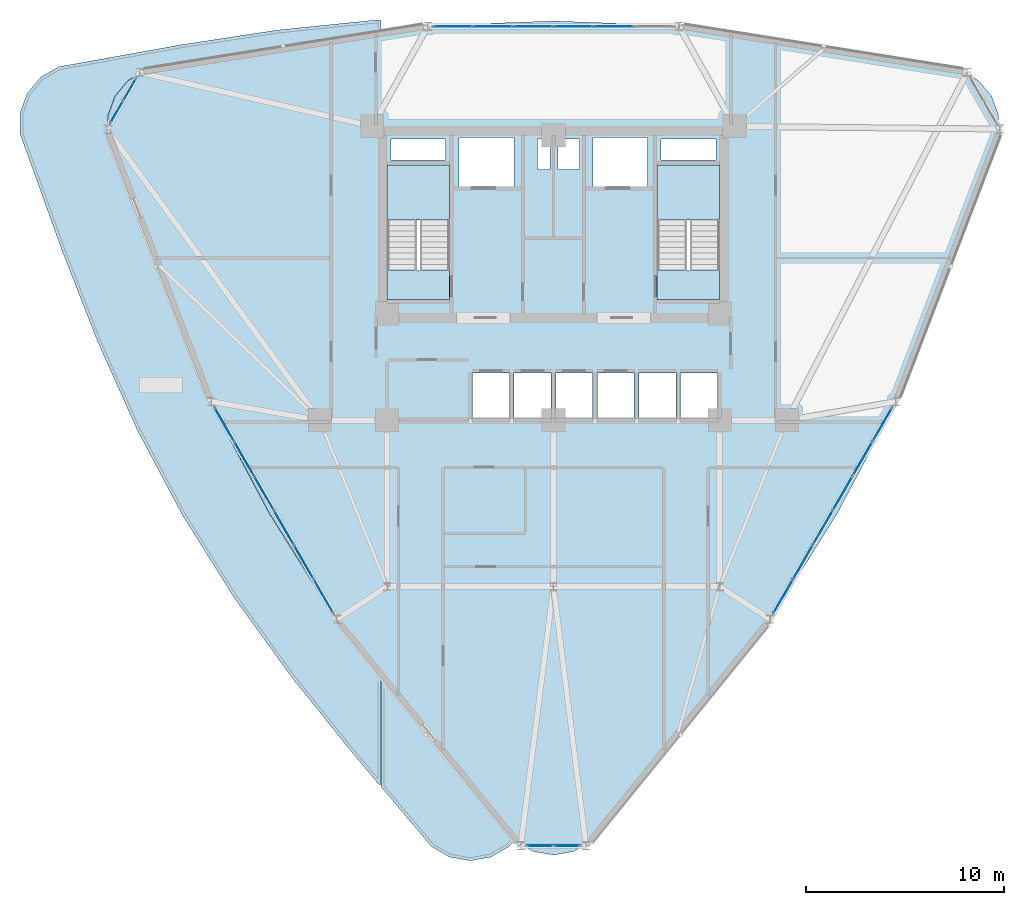
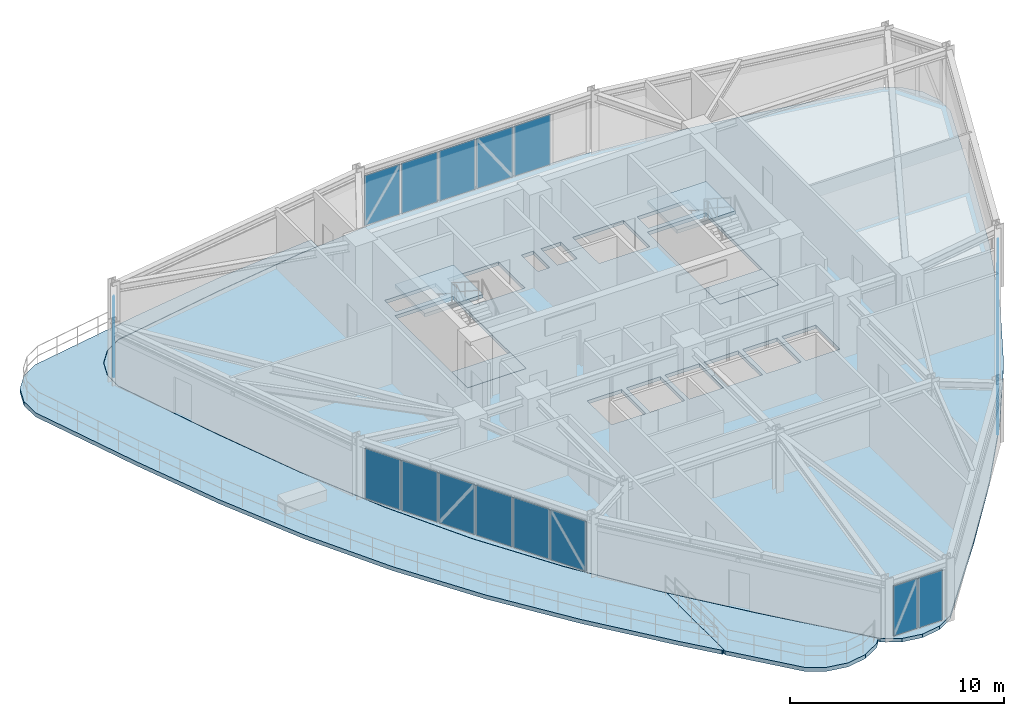
# One storey, part 12 of 18: 21 plates, 7 slabs, 7 elements without a shape of their own.
"""IFC4 building model written with IfcOpenShell, lengths in metres."""

from ifc_helpers import new_model, si_unit, derived_unit, direction, frame, origin, origin_2d, place, context, subcontext, project, spatial, polyline, rectangle, outline, extrude, source, transform, mapped, material, layer, layer_set, type_object, element, aggregate, save


model = new_model("IFC4")

# Units and contexts
model_context = context("Model", 3, precision=1e-05, world=origin(), true_north=direction((0.0, 1.0)))
body_context = subcontext(model_context, "Body", "Model", "MODEL_VIEW")
ifc_project = project(units=[si_unit("LENGTHUNIT", "METRE"), si_unit("AREAUNIT", "SQUARE_METRE"), si_unit("VOLUMEUNIT", "CUBIC_METRE"), si_unit("PLANEANGLEUNIT", "RADIAN"), si_unit("MASSUNIT", "GRAM", prefix="KILO"), derived_unit("THERMALTRANSMITTANCEUNIT", [(si_unit("POWERUNIT", "WATT"), 1), (si_unit("LENGTHUNIT", "METRE"), -2), (si_unit("THERMODYNAMICTEMPERATUREUNIT", "KELVIN"), -1)])], contexts=[model_context])

# Site, building, storey
site_placement = place(None, origin())
site = spatial("IfcSite", under=ifc_project, at=site_placement, CompositionType="ELEMENT")
building_placement = place(site_placement, origin())
building = spatial("IfcBuilding", under=site, at=building_placement, Name="Korsvarv Bourse and Concert Hall", CompositionType="ELEMENT")
storey_placement = place(building_placement, frame((0.0, 0.0, 168.60009765625)))
storey = spatial("IfcBuildingStorey", under=building, at=storey_placement, Name="L43", CompositionType="ELEMENT", Elevation=168.60009765625)

# Slabs
ifc_material_1 = material(Name="Precast concrete C45/55", Category="concrete")
ifc_layer_1 = layer(ifc_material_1, 0.199951171875)
ifc_layer_set_1 = layer_set([ifc_layer_1], Name="Precast concrete C45/55")
slab_type_1 = type_object("IfcSlabType", Name="SLB-FLND-T", PredefinedType="LANDING", material=ifc_layer_set_1)
slab_1_placement = place(storey_placement, frame((0.0, 0.0, -0.2001953125)))
element("IfcSlab", 1, at=slab_1_placement, inside=storey, type_object=slab_type_1, Name="L43 Stair ST-T1 Floor Landing Slab", PredefinedType="LANDING", context=body_context, shape_type="SweptSolid", body=[
    extrude(outline(polyline([(30.760009765625, 38.5), (30.760009765625, 40.0), (27.60009765625, 40.0), (27.60009765625, 38.5), (30.760009765625, 38.5)])), origin(), (0.0, 0.0, 1.0), 0.2001953125),
])
slab_2_placement = place(storey_placement, frame((0.0, 0.0, -0.2001953125)))
element("IfcSlab", 2, at=slab_2_placement, inside=storey, type_object=slab_type_1, Name="L43 Stair ST-T2 Floor Landing Slab", PredefinedType="LANDING", context=body_context, shape_type="SweptSolid", body=[
    extrude(outline(polyline([(44.39990234375, 38.5), (44.39990234375, 40.0), (41.239990234375, 40.0), (41.239990234375, 38.5), (44.39990234375, 38.5)])), origin(), (0.0, 0.0, 1.0), 0.2001953125),
])
ifc_material_2 = material(Name="Concrete C45/55", Category="concrete")
ifc_layer_2 = layer(ifc_material_2, 0.22998046875)
ifc_layer_set_2 = layer_set([ifc_layer_2], Name="Concrete C45/55")
slab_type_2 = type_object("IfcSlabType", Name="SLB-SKY", PredefinedType="FLOOR", material=ifc_layer_set_2)
slab_3_placement = place(storey_placement, frame((0.0, 0.0, -0.22998046875)))
element("IfcSlab", 3, at=slab_3_placement, inside=storey, type_object=slab_type_2, Name="L43 Crescent Sky Garden Terrace 1", PredefinedType="FLOOR", context=body_context, shape_type="SweptSolid", body=[
    extrude(outline(polyline([(13.505859375, 46.783447265625), (13.506103515625, 46.782958984375), (13.91015625, 45.6728515625), (13.91015625, 45.672607421875), (13.9111328125, 45.669921875), (13.9111328125, 45.669921875), (15.59130859375, 41.00341796875), (15.591552734375, 41.003173828125), (15.591796875, 41.002685546875), (17.379638671875, 36.423828125), (17.3798828125, 36.423583984375), (17.380126953125, 36.422607421875), (19.373779296875, 31.98291015625), (19.3740234375, 31.982177734375), (19.37451171875, 31.9814453125), (21.640625, 27.710693359375), (21.64111328125, 27.709716796875), (21.6416015625, 27.708984375), (24.20703125, 23.611083984375), (24.20751953125, 23.6103515625), (24.2080078125, 23.609619140625), (27.05615234375, 19.663330078125), (27.056396484375, 19.662841796875), (27.056884765625, 19.662109375), (27.286865234375, 19.375), (27.290283203125, 19.370361328125), (27.293212890625, 19.365234375), (27.295654296875, 19.360107421875), (27.297607421875, 19.3544921875), (27.298828125, 19.34912109375), (27.2998046875, 19.34326171875), (27.300048828125, 19.33740234375), (27.300048828125, 14.043212890625), (27.2998046875, 14.037353515625), (27.298828125, 14.031494140625), (27.29736328125, 14.02587890625), (27.29541015625, 14.020263671875), (27.29296875, 14.014892578125), (27.2900390625, 14.010009765625), (27.28662109375, 14.00537109375), (27.28271484375, 14.0009765625), (27.2783203125, 13.9970703125), (27.273681640625, 13.993408203125), (27.2685546875, 13.990478515625), (27.263427734375, 13.98779296875), (27.2578125, 13.98583984375), (27.252197265625, 13.984375), (27.246337890625, 13.9833984375), (27.240478515625, 13.983154296875), (27.234619140625, 13.9833984375), (27.22900390625, 13.984130859375), (27.22314453125, 13.985595703125), (27.2177734375, 13.987548828125), (27.21240234375, 13.989990234375), (27.207275390625, 13.992919921875), (27.20263671875, 13.996337890625), (27.1982421875, 14.0), (27.194091796875, 14.00439453125), (25.826171875, 15.622314453125), (25.8251953125, 15.623291015625), (22.726806640625, 19.491943359375), (22.72509765625, 19.494384765625), (19.85302734375, 23.4716796875), (19.850830078125, 23.47509765625), (17.264404296875, 27.60546875), (17.262451171875, 27.609130859375), (14.978515625, 31.914306640625), (14.976806640625, 31.917724609375), (12.96826171875, 36.393798828125), (12.967041015625, 36.396484375), (11.166015625, 41.013916015625), (11.165283203125, 41.015380859375), (9.472900390625, 45.721923828125), (9.47265625, 45.722412109375), (9.4716796875, 45.72509765625), (9.471435546875, 45.7255859375), (9.059814453125, 46.85693359375), (9.05810546875, 46.86181640625), (9.056884765625, 46.866943359375), (9.056396484375, 46.8720703125), (9.05615234375, 46.87744140625), (9.05615234375, 47.915771484375), (9.056396484375, 47.9208984375), (9.056884765625, 47.926025390625), (9.05810546875, 47.93115234375), (9.059814453125, 47.936279296875), (9.414794921875, 48.912109375), (9.4169921875, 48.916748046875), (9.419189453125, 48.92138671875), (9.422119140625, 48.92578125), (9.42529296875, 48.929931640625), (10.0927734375, 49.7255859375), (10.09619140625, 49.7294921875), (10.10009765625, 49.73291015625), (10.104248046875, 49.736083984375), (10.10888671875, 49.739013671875), (11.0078125, 50.258056640625), (11.0126953125, 50.260498046875), (11.017333984375, 50.262451171875), (11.0224609375, 50.26416015625), (11.027587890625, 50.26513671875), (12.21337890625, 50.474365234375), (12.216796875, 50.474853515625), (17.13916015625, 51.362548828125), (17.140869140625, 51.36279296875), (22.0400390625, 52.111572265625), (22.043212890625, 52.112060546875), (26.923583984375, 52.6103515625), (26.927490234375, 52.610595703125), (27.23779296875, 52.621826171875), (27.243896484375, 52.62158203125), (27.25, 52.62109375), (27.255615234375, 52.61962890625), (27.261474609375, 52.617919921875), (27.26708984375, 52.615478515625), (27.272216796875, 52.612548828125), (27.277099609375, 52.60888671875), (27.28173828125, 52.60498046875), (27.285888671875, 52.6005859375), (27.289306640625, 52.595703125), (27.29248046875, 52.5908203125), (27.295166015625, 52.585205078125), (27.29736328125, 52.57958984375), (27.298828125, 52.57373046875), (27.2998046875, 52.56787109375), (27.300048828125, 52.561767578125), (27.300048828125, 52.067626953125), (27.2998046875, 52.061767578125), (27.298828125, 52.055908203125), (27.29736328125, 52.05029296875), (27.29541015625, 52.044677734375), (27.29296875, 52.039306640625), (27.289794921875, 52.0341796875), (27.286376953125, 52.029541015625), (27.282470703125, 52.025146484375), (27.2783203125, 52.021240234375), (27.2734375, 52.017822265625), (27.268310546875, 52.0146484375), (27.26318359375, 52.01220703125), (27.257568359375, 52.01025390625), (27.251953125, 52.0087890625), (27.24609375, 52.0078125), (26.323974609375, 51.913818359375), (26.323486328125, 51.913818359375), (26.322509765625, 51.913818359375), (21.463134765625, 51.172607421875), (21.462890625, 51.172607421875), (21.46240234375, 51.172607421875), (16.581298828125, 50.294677734375), (16.5810546875, 50.29443359375), (16.578125, 50.2939453125), (16.578125, 50.2939453125), (15.414794921875, 50.0888671875), (15.4140625, 50.0888671875), (15.412841796875, 50.08837890625), (15.412109375, 50.088134765625), (15.410888671875, 50.08740234375), (15.41015625, 50.087158203125), (14.522216796875, 49.574462890625), (14.521484375, 49.57421875), (14.5205078125, 49.573486328125), (14.519775390625, 49.57275390625), (14.518798828125, 49.57177734375), (14.518310546875, 49.5712890625), (13.859130859375, 48.785888671875), (13.85888671875, 48.785400390625), (13.858154296875, 48.7841796875), (13.857666015625, 48.783447265625), (13.85693359375, 48.7822265625), (13.856689453125, 48.781494140625), (13.506103515625, 47.81787109375), (13.505859375, 47.8173828125), (13.505615234375, 47.81591796875), (13.50537109375, 47.815185546875), (13.505126953125, 47.813720703125), (13.505126953125, 47.813232421875), (13.505126953125, 46.78759765625), (13.505126953125, 46.787109375), (13.50537109375, 46.78564453125), (13.505615234375, 46.784912109375), (13.505859375, 46.783447265625)])), origin(), (0.0, 0.0, 1.0), 0.22998046875),
])
slab_4_placement = place(storey_placement, frame((0.0, 0.0, -0.22998046875)))
element("IfcSlab", 4, at=slab_4_placement, inside=storey, type_object=slab_type_2, Name="L43 Crescent Sky Garden Terrace 2", PredefinedType="FLOOR", context=body_context, shape_type="SweptSolid", body=[
    extrude(outline(polyline([(32.852783203125, 10.345458984375), (32.847900390625, 10.343017578125), (32.84326171875, 10.341064453125), (32.838134765625, 10.33935546875), (32.8330078125, 10.33837890625), (31.810302734375, 10.157958984375), (31.80517578125, 10.1572265625), (31.800048828125, 10.156982421875), (31.794921875, 10.1572265625), (31.78955078125, 10.157958984375), (30.766845703125, 10.33837890625), (30.76171875, 10.33935546875), (30.7568359375, 10.341064453125), (30.751953125, 10.343017578125), (30.747314453125, 10.345458984375), (29.84814453125, 10.864501953125), (29.84375, 10.8671875), (29.839599609375, 10.87060546875), (29.835693359375, 10.8740234375), (29.832275390625, 10.8779296875), (29.058349609375, 11.800048828125), (29.057861328125, 11.80078125), (29.056396484375, 11.802490234375), (29.055419921875, 11.803466796875), (27.314208984375, 13.862548828125), (27.310546875, 13.8671875), (27.307373046875, 13.872314453125), (27.3046875, 13.877685546875), (27.302734375, 13.883544921875), (27.30126953125, 13.889404296875), (27.30029296875, 13.895263671875), (27.300048828125, 13.9013671875), (27.300048828125, 19.1875), (27.30029296875, 19.193359375), (27.30126953125, 19.19921875), (27.302490234375, 19.205078125), (27.3046875, 19.210693359375), (27.30712890625, 19.216064453125), (27.310302734375, 19.220947265625), (27.313720703125, 19.225830078125), (27.317626953125, 19.22998046875), (27.322021484375, 19.234130859375), (27.326904296875, 19.237548828125), (27.33203125, 19.240478515625), (27.33740234375, 19.2431640625), (27.343017578125, 19.2451171875), (27.3486328125, 19.24658203125), (27.3544921875, 19.247314453125), (27.360595703125, 19.24755859375), (27.366455078125, 19.247314453125), (27.372314453125, 19.246337890625), (27.3779296875, 19.244873046875), (27.383544921875, 19.24267578125), (27.388916015625, 19.240234375), (27.393798828125, 19.237060546875), (27.398681640625, 19.2333984375), (27.40283203125, 19.2294921875), (27.40673828125, 19.22509765625), (30.12841796875, 15.824462890625), (30.128662109375, 15.82421875), (30.12890625, 15.823974609375), (33.330078125, 12.03564453125), (33.330078125, 12.035400390625), (33.33203125, 12.033203125), (33.33203125, 12.033203125), (34.002197265625, 11.234375), (34.005859375, 11.2294921875), (34.0087890625, 11.224609375), (34.011474609375, 11.218994140625), (34.013671875, 11.21337890625), (34.01513671875, 11.207763671875), (34.015869140625, 11.201904296875), (34.01611328125, 11.19580078125), (34.015869140625, 11.189697265625), (34.01513671875, 11.183837890625), (34.013671875, 11.177978515625), (34.011474609375, 11.172607421875), (34.0087890625, 11.1669921875), (34.005859375, 11.162109375), (34.002197265625, 11.1572265625), (33.767822265625, 10.8779296875), (33.764404296875, 10.8740234375), (33.760498046875, 10.87060546875), (33.75634765625, 10.8671875), (33.751708984375, 10.864501953125), (32.852783203125, 10.345458984375)])), origin(), (0.0, 0.0, 1.0), 0.22998046875),
])

# Stair, slab
stair_type = type_object("IfcStairType", Name="STR-TYPE-04", PredefinedType="HALF_TURN_STAIR", material=ifc_material_1)
stair_1_placement = place(storey_placement, origin())
stair_1 = element("IfcStair", 5, at=stair_1_placement, inside=storey, type_object=stair_type, Name="L43 Tower West Exit Stair ST-T1", PredefinedType="HALF_TURN_STAIR")
ifc_layer_3 = layer(ifc_material_1, 0.199951171875)
ifc_layer_set_3 = layer_set([ifc_layer_3], Name="Precast concrete C45/55")
slab_type_3 = type_object("IfcSlabType", Name="SLB-ST-LND", PredefinedType="LANDING", material=ifc_layer_set_3)
slab_5_placement = place(storey_placement, frame((0.0, 0.0, 1.599853515625)))
slab_5 = element("IfcSlab", 6, at=slab_5_placement, type_object=slab_type_3, Name="ST-T1 landing 1", PredefinedType="LANDING", context=body_context, shape_type="SweptSolid", body=[
    extrude(outline(polyline([(30.760009765625, 42.52001953125), (30.760009765625, 45.300048828125), (27.60009765625, 45.300048828125), (27.60009765625, 42.52001953125), (30.760009765625, 42.52001953125)])), origin(), (0.0, 0.0, 1.0), 0.199951171875),
])
aggregate(stair_1, [slab_5])

stair_2_placement = place(storey_placement, origin())
stair_2 = element("IfcStair", 7, at=stair_2_placement, inside=storey, type_object=stair_type, Name="L43 Tower East Exit Stair ST-T2", PredefinedType="HALF_TURN_STAIR")
slab_6_placement = place(storey_placement, frame((0.0, 0.0, 1.599853515625)))
slab_6 = element("IfcSlab", 8, at=slab_6_placement, type_object=slab_type_3, Name="ST-T2 landing 1", PredefinedType="LANDING", context=body_context, shape_type="SweptSolid", body=[
    extrude(outline(polyline([(44.39990234375, 42.52001953125), (44.39990234375, 45.300048828125), (41.239990234375, 45.300048828125), (41.239990234375, 42.52001953125), (44.39990234375, 42.52001953125)])), origin(), (0.0, 0.0, 1.0), 0.199951171875),
])
aggregate(stair_2, [slab_6])

# Slab
ifc_layer_4 = layer(ifc_material_2, 0.199951171875)
ifc_layer_set_4 = layer_set([ifc_layer_4], Name="Concrete C45/55")
slab_type_4 = type_object("IfcSlabType", Name="SLB-TW2", PredefinedType="FLOOR", material=ifc_layer_set_4)
slab_7_placement = place(storey_placement, frame((0.0, 0.0, -0.2001953125)))
element("IfcSlab", 9, at=slab_7_placement, inside=storey, type_object=slab_type_4, Name="L43 tower structural floor slab", PredefinedType="FLOOR", context=body_context, shape_type="SweptSolid", body=[
    extrude(outline(polyline([(58.079345703125, 45.67333984375), (56.399169921875, 41.006591796875), (54.61083984375, 36.42724609375), (52.616943359375, 31.986572265625), (50.350341796875, 27.71484375), (47.7841796875, 23.615966796875), (44.935546875, 19.6689453125), (41.86376953125, 15.83056640625), (38.662353515625, 12.0419921875), (38.660400390625, 12.03955078125), (37.900634765625, 11.134033203125), (37.01123046875, 10.62060546875), (36.0, 10.4423828125), (34.98876953125, 10.62060546875), (34.099365234375, 11.134033203125), (33.339599609375, 12.03955078125), (33.337646484375, 12.0419921875), (30.13623046875, 15.83056640625), (27.064453125, 19.6689453125), (24.2158203125, 23.615966796875), (21.649658203125, 27.71484375), (19.383056640625, 31.986572265625), (17.38916015625, 36.42724609375), (15.600830078125, 41.006591796875), (13.920654296875, 45.67333984375), (13.91943359375, 45.67626953125), (13.51513671875, 46.787109375), (13.51513671875, 47.813720703125), (13.866455078125, 48.77880859375), (14.526611328125, 49.5654296875), (15.415771484375, 50.078857421875), (16.579833984375, 50.2841796875), (16.5830078125, 50.28466796875), (21.464599609375, 51.162841796875), (26.32470703125, 51.904052734375), (31.167236328125, 52.3974609375), (36.0, 52.5703125), (40.832763671875, 52.3974609375), (45.67529296875, 51.904052734375), (50.535400390625, 51.162841796875), (55.4169921875, 50.28466796875), (55.420166015625, 50.2841796875), (56.584228515625, 50.078857421875), (57.473388671875, 49.5654296875), (58.133544921875, 48.77880859375), (58.48486328125, 47.813720703125), (58.48486328125, 46.787109375), (58.08056640625, 45.67626953125), (58.079345703125, 45.67333984375)]), holes=[polyline([(30.760009765625, 38.5), (30.760009765625, 45.300048828125), (27.60009765625, 45.300048828125), (27.60009765625, 38.5), (30.760009765625, 38.5)]), polyline([(44.39990234375, 38.5), (44.39990234375, 45.300048828125), (41.239990234375, 45.300048828125), (41.239990234375, 38.5), (44.39990234375, 38.5)]), polyline([(31.239990234375, 44.219970703125), (34.0, 44.219970703125), (34.0, 46.679931640625), (31.239990234375, 46.679931640625), (31.239990234375, 44.219970703125)]), polyline([(38.0, 44.219970703125), (40.760009765625, 44.219970703125), (40.760009765625, 46.679931640625), (38.0, 46.679931640625), (38.0, 44.219970703125)]), polyline([(31.919921875, 32.52001953125), (33.780029296875, 32.52001953125), (33.780029296875, 34.780029296875), (31.919921875, 34.780029296875), (31.919921875, 32.52001953125)]), polyline([(34.02001953125, 32.52001953125), (35.8798828125, 32.52001953125), (35.8798828125, 34.780029296875), (34.02001953125, 34.780029296875), (34.02001953125, 32.52001953125)]), polyline([(36.1201171875, 32.52001953125), (37.97998046875, 32.52001953125), (37.97998046875, 34.780029296875), (36.1201171875, 34.780029296875), (36.1201171875, 32.52001953125)]), polyline([(38.219970703125, 32.52001953125), (40.080078125, 32.52001953125), (40.080078125, 34.780029296875), (38.219970703125, 34.780029296875), (38.219970703125, 32.52001953125)]), polyline([(40.320068359375, 32.52001953125), (42.179931640625, 32.52001953125), (42.179931640625, 34.780029296875), (40.320068359375, 34.780029296875), (40.320068359375, 32.52001953125)]), polyline([(42.419921875, 32.52001953125), (44.280029296875, 32.52001953125), (44.280029296875, 34.780029296875), (42.419921875, 34.780029296875), (42.419921875, 32.52001953125)]), polyline([(27.800048828125, 45.56005859375), (30.56005859375, 45.56005859375), (30.56005859375, 46.6201171875), (27.800048828125, 46.6201171875), (27.800048828125, 45.56005859375)]), polyline([(41.43994140625, 45.56005859375), (44.199951171875, 45.56005859375), (44.199951171875, 46.6201171875), (41.43994140625, 46.6201171875), (41.43994140625, 45.56005859375)]), polyline([(35.199951171875, 45.080078125), (35.840087890625, 45.080078125), (35.840087890625, 46.6201171875), (35.199951171875, 46.6201171875), (35.199951171875, 45.080078125)]), polyline([(36.239990234375, 45.080078125), (37.320068359375, 45.080078125), (37.320068359375, 46.6201171875), (36.239990234375, 46.6201171875), (36.239990234375, 45.080078125)])]), origin(), (0.0, 0.0, 1.0), 0.2001953125),
])

# Curtain wall, plates
ifc_material_3 = material(Name="Anodised aluminium and triple low-E glazing", Category="glass")
ifc_layer_5 = layer(ifc_material_3, 0.2099609375)
ifc_layer_set_5 = layer_set([ifc_layer_5], Name="Anodised aluminium and triple low-E glazing")
curtain_wall_type = type_object("IfcCurtainWallType", Name="CW-SYS-2", PredefinedType="NOTDEFINED", material=ifc_layer_set_5)
curtain_wall_1_placement = place(storey_placement, origin())
curtain_wall_1 = element("IfcCurtainWall", 10, at=curtain_wall_1_placement, inside=storey, type_object=curtain_wall_type, Name="L43 CW2 curtain wall CW-L43-F05", PredefinedType="NOTDEFINED")
ifc_material_4 = material(Name="Insulated spandrel glass", Category="glass")
ifc_layer_6 = layer(ifc_material_4, 0.031982421875)
ifc_layer_set_6 = layer_set([ifc_layer_6], Name="Insulated spandrel glass")
plate_type_1 = type_object("IfcPlateType", Name="CWP-SPD1", PredefinedType="CURTAIN_PANEL", material=ifc_layer_set_6)
shared_shape_1 = source(origin(), body_context, "Body", "SweptSolid", [
    extrude(rectangle(XDim=1.23779296875, YDim=0.031982421875, at=origin_2d()), origin(), (0.0, 0.0, 1.0), 2.8701171875),
])
plate_1_placement = place(storey_placement, frame((14.598876953125, 49.11083984375, 0.06494140625), z_axis=(0.0, 0.0, 1.0), x_axis=(-0.500031897907, -0.866006986736, 0.0)))
plate_1 = element("IfcPlate", 11, at=plate_1_placement, type_object=plate_type_1, Name="CW2 spandrel shadow-box panel 1.1", PredefinedType="CURTAIN_PANEL", context=body_context, shape_type="MappedRepresentation", body=[
    mapped(shared_shape_1, transform((0.0, 0.0, 0.0), scale=1.0)),
])
ifc_material_5 = material(Name="Tempered triple insulated low-E architectural glass", Category="glass")
ifc_layer_7 = layer(ifc_material_5, 0.0380859375)
ifc_layer_set_7 = layer_set([ifc_layer_7], Name="Tempered triple insulated low-E architectural glass")
plate_type_2 = type_object("IfcPlateType", Name="CWP-VIS2", PredefinedType="CURTAIN_PANEL", material=ifc_layer_set_7)
shared_shape_2 = source(origin(), body_context, "Body", "SweptSolid", [
    extrude(rectangle(XDim=1.23779296875, YDim=0.0380859375, at=origin_2d()), origin(), (0.0, 0.0, 1.0), 2.8701171875),
])
plate_2_placement = place(storey_placement, frame((13.945068359375, 47.978515625, 0.06494140625), z_axis=(0.0, 0.0, 1.0), x_axis=(-0.500031897907, -0.866006986736, 0.0)))
plate_2 = element("IfcPlate", 12, at=plate_2_placement, type_object=plate_type_2, Name="CW2 faceted panel 2.1", PredefinedType="CURTAIN_PANEL", context=body_context, shape_type="MappedRepresentation", body=[
    mapped(shared_shape_2, transform((0.0, 0.0, 0.0), scale=1.0)),
])
aggregate(curtain_wall_1, [plate_1, plate_2])

curtain_wall_2_placement = place(storey_placement, origin())
curtain_wall_2 = element("IfcCurtainWall", 13, at=curtain_wall_2_placement, inside=storey, type_object=curtain_wall_type, Name="L43 CW2 curtain wall CW-L43-F03", PredefinedType="NOTDEFINED")
shared_shape_3 = source(origin(), body_context, "Body", "SweptSolid", [
    extrude(rectangle(XDim=1.9599609375, YDim=0.0380859375, at=origin_2d()), origin(), (0.0, 0.0, 1.0), 2.8701171875),
])
plate_3_placement = place(storey_placement, frame((39.044921875, 52.2958984375, 0.06494140625), z_axis=(0.0, 0.0, 1.0), x_axis=(-1.0, 0.0, 0.0)))
plate_3 = element("IfcPlate", 14, at=plate_3_placement, type_object=plate_type_2, Name="CW2 faceted panel 2.1", PredefinedType="CURTAIN_PANEL", context=body_context, shape_type="MappedRepresentation", body=[
    mapped(shared_shape_3, transform((0.0, 0.0, 0.0), scale=1.0)),
])
plate_4_placement = place(storey_placement, frame((34.985107421875, 52.2958984375, 0.06494140625), z_axis=(0.0, 0.0, 1.0), x_axis=(-1.0, 0.0, 0.0)))
plate_4 = element("IfcPlate", 15, at=plate_4_placement, type_object=plate_type_2, Name="CW2 faceted panel 4.1", PredefinedType="CURTAIN_PANEL", context=body_context, shape_type="MappedRepresentation", body=[
    mapped(shared_shape_3, transform((0.0, 0.0, 0.0), scale=1.0)),
])
plate_5_placement = place(storey_placement, frame((32.955078125, 52.2958984375, 0.06494140625), z_axis=(0.0, 0.0, 1.0), x_axis=(-1.0, 0.0, 0.0)))
plate_5 = element("IfcPlate", 16, at=plate_5_placement, type_object=plate_type_2, Name="CW2 faceted panel 5.1", PredefinedType="CURTAIN_PANEL", context=body_context, shape_type="MappedRepresentation", body=[
    mapped(shared_shape_3, transform((0.0, 0.0, 0.0), scale=1.0)),
])
shared_shape_4 = source(origin(), body_context, "Body", "SweptSolid", [
    extrude(rectangle(XDim=1.9599609375, YDim=0.031982421875, at=origin_2d()), origin(), (0.0, 0.0, 1.0), 2.8701171875),
])
plate_6_placement = place(storey_placement, frame((37.014892578125, 52.2958984375, 0.06494140625), z_axis=(0.0, 0.0, 1.0), x_axis=(-1.0, 0.0, 0.0)))
plate_6 = element("IfcPlate", 17, at=plate_6_placement, type_object=plate_type_1, Name="CW2 spandrel shadow-box panel 3.1", PredefinedType="CURTAIN_PANEL", context=body_context, shape_type="MappedRepresentation", body=[
    mapped(shared_shape_4, transform((0.0, 0.0, 0.0), scale=1.0)),
])
shared_shape_5 = source(origin(), body_context, "Body", "SweptSolid", [
    extrude(rectangle(XDim=1.925048828125, YDim=0.031982421875, at=origin_2d()), origin(), (0.0, 0.0, 1.0), 2.8701171875),
])
plate_7_placement = place(storey_placement, frame((30.9423828125, 52.2958984375, 0.06494140625), z_axis=(0.0, 0.0, 1.0), x_axis=(-1.0, 0.0, 0.0)))
plate_7 = element("IfcPlate", 18, at=plate_7_placement, type_object=plate_type_1, Name="CW2 spandrel shadow-box panel 6.1", PredefinedType="CURTAIN_PANEL", context=body_context, shape_type="MappedRepresentation", body=[
    mapped(shared_shape_5, transform((0.0, 0.0, 0.0), scale=1.0)),
])
aggregate(curtain_wall_2, [plate_3, plate_6, plate_4, plate_5, plate_7])

# Curtain wall, plate
curtain_wall_3_placement = place(storey_placement, origin())
curtain_wall_3 = element("IfcCurtainWall", 19, at=curtain_wall_3_placement, inside=storey, type_object=curtain_wall_type, Name="L43 CW2 curtain wall CW-L43-F07", PredefinedType="NOTDEFINED")
shared_shape_6 = source(origin(), body_context, "Body", "SweptSolid", [
    extrude(rectangle(XDim=1.907470703125, YDim=0.0380859375, at=origin_2d()), origin(), (0.0, 0.0, 1.0), 2.8701171875),
])
plate_8_placement = place(storey_placement, frame((19.380615234375, 32.19384765625, 0.06494140625), z_axis=(0.0, 0.0, 1.0), x_axis=(0.500004918003, -0.866022564355, 0.0)))
plate_8 = element("IfcPlate", 20, at=plate_8_placement, type_object=plate_type_2, Name="CW2 faceted panel 1.1", PredefinedType="CURTAIN_PANEL", context=body_context, shape_type="MappedRepresentation", body=[
    mapped(shared_shape_6, transform((0.0, 0.0, 0.0), scale=1.0)),
])

curtain_wall_4_placement = place(storey_placement, origin())
curtain_wall_4 = element("IfcCurtainWall", 21, at=curtain_wall_4_placement, inside=storey, type_object=curtain_wall_type, Name="L43 CW2 curtain wall CW-L43-F11", PredefinedType="NOTDEFINED")
plate_9_placement = place(storey_placement, frame((47.60595703125, 23.51025390625, 0.06494140625), z_axis=(0.0, 0.0, 1.0), x_axis=(0.500004918003, 0.866022564355, 0.0)))
plate_9 = element("IfcPlate", 22, at=plate_9_placement, type_object=plate_type_2, Name="CW2 faceted panel 1.1", PredefinedType="CURTAIN_PANEL", context=body_context, shape_type="MappedRepresentation", body=[
    mapped(shared_shape_6, transform((0.0, 0.0, 0.0), scale=1.0)),
])

# Plate
shared_shape_7 = source(origin(), body_context, "Body", "SweptSolid", [
    extrude(rectangle(XDim=1.9423828125, YDim=0.0380859375, at=origin_2d()), origin(), (0.0, 0.0, 1.0), 2.8701171875),
])
plate_10_placement = place(storey_placement, frame((20.378173828125, 30.46630859375, 0.06494140625), z_axis=(0.0, 0.0, 1.0), x_axis=(0.500004918003, -0.866022564355, 0.0)))
plate_10 = element("IfcPlate", 23, at=plate_10_placement, type_object=plate_type_2, Name="CW2 faceted panel 2.1", PredefinedType="CURTAIN_PANEL", context=body_context, shape_type="MappedRepresentation", body=[
    mapped(shared_shape_7, transform((0.0, 0.0, 0.0), scale=1.0)),
])

plate_11_placement = place(storey_placement, frame((22.390380859375, 26.980712890625, 0.06494140625), z_axis=(0.0, 0.0, 1.0), x_axis=(0.500004918003, -0.866022564355, 0.0)))
plate_11 = element("IfcPlate", 24, at=plate_11_placement, type_object=plate_type_2, Name="CW2 faceted panel 4.1", PredefinedType="CURTAIN_PANEL", context=body_context, shape_type="MappedRepresentation", body=[
    mapped(shared_shape_7, transform((0.0, 0.0, 0.0), scale=1.0)),
])

plate_12_placement = place(storey_placement, frame((23.396728515625, 25.238037109375, 0.06494140625), z_axis=(0.0, 0.0, 1.0), x_axis=(0.500004918003, -0.866022564355, 0.0)))
plate_12 = element("IfcPlate", 25, at=plate_12_placement, type_object=plate_type_2, Name="CW2 faceted panel 5.1", PredefinedType="CURTAIN_PANEL", context=body_context, shape_type="MappedRepresentation", body=[
    mapped(shared_shape_7, transform((0.0, 0.0, 0.0), scale=1.0)),
])

plate_13_placement = place(storey_placement, frame((48.603271484375, 25.238037109375, 0.06494140625), z_axis=(0.0, 0.0, 1.0), x_axis=(0.500004918003, 0.866022564355, 0.0)))
plate_13 = element("IfcPlate", 26, at=plate_13_placement, type_object=plate_type_2, Name="CW2 faceted panel 2.1", PredefinedType="CURTAIN_PANEL", context=body_context, shape_type="MappedRepresentation", body=[
    mapped(shared_shape_7, transform((0.0, 0.0, 0.0), scale=1.0)),
])

plate_14_placement = place(storey_placement, frame((50.61572265625, 28.723388671875, 0.06494140625), z_axis=(0.0, 0.0, 1.0), x_axis=(0.500004918003, 0.866022564355, 0.0)))
plate_14 = element("IfcPlate", 27, at=plate_14_placement, type_object=plate_type_2, Name="CW2 faceted panel 4.1", PredefinedType="CURTAIN_PANEL", context=body_context, shape_type="MappedRepresentation", body=[
    mapped(shared_shape_7, transform((0.0, 0.0, 0.0), scale=1.0)),
])

plate_15_placement = place(storey_placement, frame((51.621826171875, 30.46630859375, 0.06494140625), z_axis=(0.0, 0.0, 1.0), x_axis=(0.500004918003, 0.866022564355, 0.0)))
plate_15 = element("IfcPlate", 28, at=plate_15_placement, type_object=plate_type_2, Name="CW2 faceted panel 5.1", PredefinedType="CURTAIN_PANEL", context=body_context, shape_type="MappedRepresentation", body=[
    mapped(shared_shape_7, transform((0.0, 0.0, 0.0), scale=1.0)),
])

shared_shape_8 = source(origin(), body_context, "Body", "SweptSolid", [
    extrude(rectangle(XDim=1.9423828125, YDim=0.031982421875, at=origin_2d()), origin(), (0.0, 0.0, 1.0), 2.8701171875),
])
plate_16_placement = place(storey_placement, frame((21.38427734375, 28.723388671875, 0.06494140625), z_axis=(0.0, 0.0, 1.0), x_axis=(0.500004918003, -0.866022564355, 0.0)))
plate_16 = element("IfcPlate", 29, at=plate_16_placement, type_object=plate_type_1, Name="CW2 spandrel shadow-box panel 3.1", PredefinedType="CURTAIN_PANEL", context=body_context, shape_type="MappedRepresentation", body=[
    mapped(shared_shape_8, transform((0.0, 0.0, 0.0), scale=1.0)),
])

plate_17_placement = place(storey_placement, frame((49.609619140625, 26.980712890625, 0.06494140625), z_axis=(0.0, 0.0, 1.0), x_axis=(0.500004918003, 0.866022564355, 0.0)))
plate_17 = element("IfcPlate", 30, at=plate_17_placement, type_object=plate_type_1, Name="CW2 spandrel shadow-box panel 3.1", PredefinedType="CURTAIN_PANEL", context=body_context, shape_type="MappedRepresentation", body=[
    mapped(shared_shape_8, transform((0.0, 0.0, 0.0), scale=1.0)),
])

shared_shape_9 = source(origin(), body_context, "Body", "SweptSolid", [
    extrude(rectangle(XDim=1.907470703125, YDim=0.031982421875, at=origin_2d()), origin(), (0.0, 0.0, 1.0), 2.8701171875),
])
plate_18_placement = place(storey_placement, frame((24.39404296875, 23.51025390625, 0.06494140625), z_axis=(0.0, 0.0, 1.0), x_axis=(0.500004918003, -0.866022564355, 0.0)))
plate_18 = element("IfcPlate", 31, at=plate_18_placement, type_object=plate_type_1, Name="CW2 spandrel shadow-box panel 6.1", PredefinedType="CURTAIN_PANEL", context=body_context, shape_type="MappedRepresentation", body=[
    mapped(shared_shape_9, transform((0.0, 0.0, 0.0), scale=1.0)),
])

aggregate(curtain_wall_3, [plate_8, plate_10, plate_16, plate_11, plate_12, plate_18])

plate_19_placement = place(storey_placement, frame((52.619384765625, 32.19384765625, 0.06494140625), z_axis=(0.0, 0.0, 1.0), x_axis=(0.500004918003, 0.866022564355, 0.0)))
plate_19 = element("IfcPlate", 32, at=plate_19_placement, type_object=plate_type_1, Name="CW2 spandrel shadow-box panel 6.1", PredefinedType="CURTAIN_PANEL", context=body_context, shape_type="MappedRepresentation", body=[
    mapped(shared_shape_9, transform((0.0, 0.0, 0.0), scale=1.0)),
])

aggregate(curtain_wall_4, [plate_9, plate_13, plate_17, plate_14, plate_15, plate_19])

# Curtain wall, plates
curtain_wall_5_placement = place(storey_placement, origin())
curtain_wall_5 = element("IfcCurtainWall", 33, at=curtain_wall_5_placement, inside=storey, type_object=curtain_wall_type, Name="L43 CW2 curtain wall CW-L43-F09", PredefinedType="NOTDEFINED")
shared_shape_10 = source(origin(), body_context, "Body", "SweptSolid", [
    extrude(rectangle(XDim=1.29052734375, YDim=0.031982421875, at=origin_2d()), origin(), (0.0, 0.0, 1.0), 2.8701171875),
])
plate_20_placement = place(storey_placement, frame((35.319580078125, 10.91064453125, 0.06494140625), z_axis=(0.0, 0.0, 1.0), x_axis=(1.0, 0.0, 0.0)))
plate_20 = element("IfcPlate", 34, at=plate_20_placement, type_object=plate_type_1, Name="CW2 spandrel shadow-box panel 1.1", PredefinedType="CURTAIN_PANEL", context=body_context, shape_type="MappedRepresentation", body=[
    mapped(shared_shape_10, transform((0.0, 0.0, 0.0), scale=1.0)),
])
shared_shape_11 = source(origin(), body_context, "Body", "SweptSolid", [
    extrude(rectangle(XDim=1.29052734375, YDim=0.0380859375, at=origin_2d()), origin(), (0.0, 0.0, 1.0), 2.8701171875),
])
plate_21_placement = place(storey_placement, frame((36.680419921875, 10.91064453125, 0.06494140625), z_axis=(0.0, 0.0, 1.0), x_axis=(1.0, 0.0, 0.0)))
plate_21 = element("IfcPlate", 35, at=plate_21_placement, type_object=plate_type_2, Name="CW2 faceted panel 2.1", PredefinedType="CURTAIN_PANEL", context=body_context, shape_type="MappedRepresentation", body=[
    mapped(shared_shape_11, transform((0.0, 0.0, 0.0), scale=1.0)),
])
aggregate(curtain_wall_5, [plate_20, plate_21])

save(model, "model.ifc")
